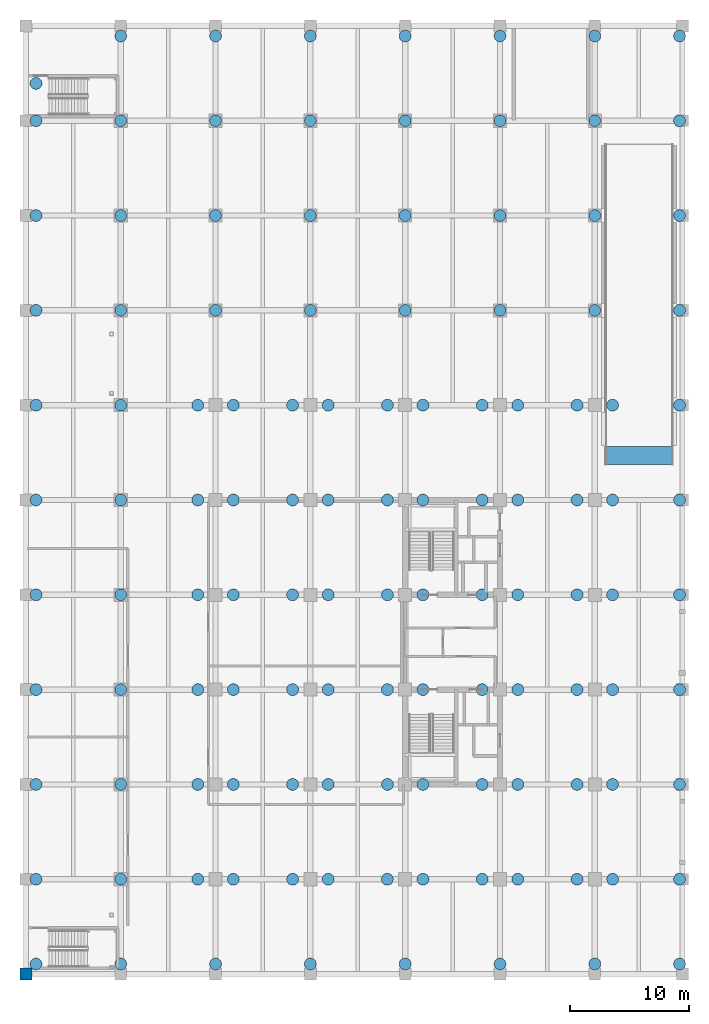
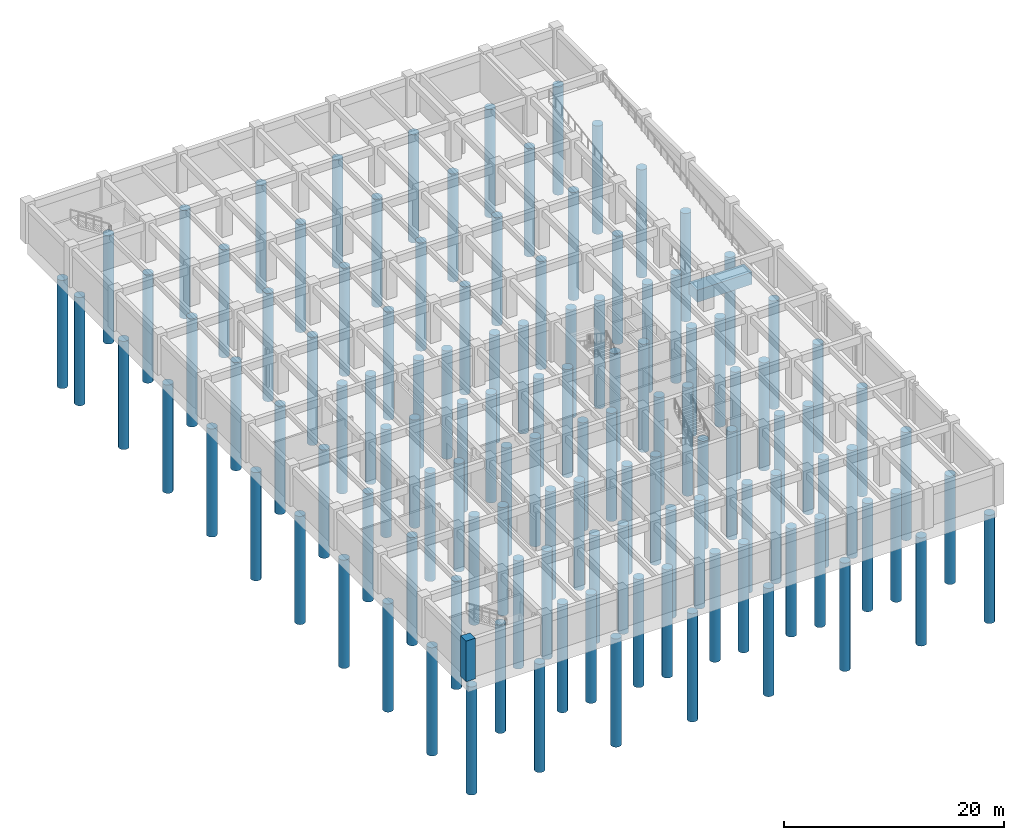
# One storey, part 1 of 15: 118 piles, 1 column, 1 footing.
"""IFC4 building model written with IfcOpenShell, lengths in metres."""

import ifcopenshell
import ifcopenshell.guid

model = None  # the IFC model being written
_history = None  # IfcOwnerHistory: only IFC2X3 demands one
_inside = {}  # id of a spatial element -> (the spatial element, [elements in it])
_under = {}  # id of a project, library or spatial element -> (it, [spatial elements below it])
_declared = {}  # id of a project -> (the project, [libraries it declares])
_typed = {}  # id of a type object -> (the type object, [elements of that type])
_made_of = {}  # id of a material, layer set ... -> (it, [elements and type objects made of it])


def new_model(schema):
    """Start an empty IFC model of exactly this schema.

    Asked for "IFC4X3", IfcOpenShell would pick the latest addendum, in which some entities
    have other attributes; the version numbers below select the first issue.
    IFC2X3 requires an IfcOwnerHistory on every rooted entity: one is made here for all.
    """
    global model, _history
    if schema == "IFC4X3":
        model = ifcopenshell.file(schema_version=(4, 3, 0, 0))
    else:
        model = ifcopenshell.file(schema=schema)
    _inside.clear()
    _under.clear()
    _declared.clear()
    _typed.clear()
    _made_of.clear()
    _history = None
    if model.schema == "IFC2X3":
        org = make("IfcOrganization", Name="unknown")
        user = make(
            "IfcPersonAndOrganization",
            ThePerson=make("IfcPerson", FamilyName="unknown"),
            TheOrganization=org,
        )
        app = make(
            "IfcApplication",
            ApplicationDeveloper=org,
            Version="unknown",
            ApplicationFullName="unknown",
            ApplicationIdentifier="unknown",
        )
        _history = make(
            "IfcOwnerHistory",
            OwningUser=user,
            OwningApplication=app,
            ChangeAction="ADDED",
            CreationDate=0,
        )
    return model


def make(cls, **values):
    """One entity of the class cls with the attributes given. An attribute that is None is left unset."""
    return model.create_entity(
        cls, **{name: value for name, value in values.items() if value is not None}
    )


def rooted(cls, **values):
    """An entity with a GlobalId (a new one), such as an element, a storey or a relation."""
    return make(cls, GlobalId=ifcopenshell.guid.new(), OwnerHistory=_history, **values)


def si_unit(unit_type, name, prefix=None):
    """IfcSIUnit, for example si_unit("LENGTHUNIT", "METRE", prefix="MILLI")."""
    return make("IfcSIUnit", UnitType=unit_type, Prefix=prefix, Name=name)


def assignment(units):
    """IfcUnitAssignment: the units of a project."""
    return None if units is None else make("IfcUnitAssignment", Units=units)


def point(xyz):
    """IfcCartesianPoint."""
    return None if xyz is None else make("IfcCartesianPoint", Coordinates=xyz)


def direction(xyz):
    """IfcDirection."""
    return None if xyz is None else make("IfcDirection", DirectionRatios=xyz)


def frame(location, z_axis=None, x_axis=None):
    """IfcAxis2Placement3D, a coordinate frame: its origin and axes. An axis left out is left unset."""
    return make(
        "IfcAxis2Placement3D",
        Location=point(location),
        Axis=direction(z_axis),
        RefDirection=direction(x_axis),
    )


def frame_2d(location, x_axis=None):
    """IfcAxis2Placement2D, a coordinate frame in the plane: its origin and x axis."""
    return make(
        "IfcAxis2Placement2D", Location=point(location), RefDirection=direction(x_axis)
    )


def origin():
    """The frame at (0, 0, 0) with its axes left unset."""
    return frame((0.0, 0.0, 0.0))


def origin_2d():
    """The frame at (0, 0) in the plane with its x axis left unset."""
    return frame_2d((0.0, 0.0))


def place(relative_to, where):
    """IfcLocalPlacement: puts the frame where relative to a parent placement (None: the world)."""
    return make(
        "IfcLocalPlacement", PlacementRelTo=relative_to, RelativePlacement=where
    )


def context(
    kind, dimensions, precision=None, world=None, true_north=None, identifier=None
):
    """IfcGeometricRepresentationContext, for example the 3D "Model" context."""
    return make(
        "IfcGeometricRepresentationContext",
        ContextIdentifier=identifier,
        ContextType=kind,
        CoordinateSpaceDimension=dimensions,
        Precision=precision,
        WorldCoordinateSystem=world,
        TrueNorth=true_north,
    )


def subcontext(parent, identifier, kind, view, scale=None):
    """IfcGeometricRepresentationSubContext, for example "Body" below "Model"."""
    return make(
        "IfcGeometricRepresentationSubContext",
        ContextIdentifier=identifier,
        ContextType=kind,
        ParentContext=parent,
        TargetScale=scale,
        TargetView=view,
    )


def project(units=None, contexts=None):
    """IfcProject with its units and contexts."""
    return rooted(
        "IfcProject",
        Name="project",
        RepresentationContexts=contexts,
        UnitsInContext=assignment(units),
    )


def spatial(cls, under=None, at=None, **own):
    """A site, building, storey or space (cls), placed at a placement, below another one or the project."""
    s = rooted(cls, ObjectPlacement=at, **own)
    if under is not None:
        _under.setdefault(under.id(), (under, []))[1].append(s)
    return s


def profile(cls, at=None, kind="AREA", **sizes):
    """A parametric profile (cls). Its sizes go by their IFC names, for example OverallWidth=200.0."""
    return make(cls, ProfileType=kind, Position=at, **sizes)


def rectangle(**sizes):
    """IfcRectangleProfileDef."""
    return profile("IfcRectangleProfileDef", **sizes)


def circle(**sizes):
    """IfcCircleProfileDef."""
    return profile("IfcCircleProfileDef", **sizes)


def extrude(swept, where, along, depth):
    """IfcExtrudedAreaSolid: the profile swept, set in the frame where, extruded along a direction by depth."""
    return make(
        "IfcExtrudedAreaSolid",
        SweptArea=swept,
        Position=where,
        ExtrudedDirection=direction(along),
        Depth=depth,
    )


def shape(context_of_items, identifier, shape_type, items):
    """IfcShapeRepresentation: the items that make up one representation, for example the "Body"."""
    return make(
        "IfcShapeRepresentation",
        ContextOfItems=context_of_items,
        RepresentationIdentifier=identifier,
        RepresentationType=shape_type,
        Items=items,
    )


def material(Name=None, Category=None):
    """IfcMaterial."""
    return make("IfcMaterial", Name=Name, Category=Category)


def material_profile(
    of_material, cross_section, Name=None, Category=None, Priority=None
):
    """IfcMaterialProfile: a cross section and its material."""
    return make(
        "IfcMaterialProfile",
        Name=Name,
        Material=of_material,
        Profile=cross_section,
        Priority=Priority,
        Category=Category,
    )


def profile_set(profiles, Name=None, composite=None):
    """IfcMaterialProfileSet."""
    return make(
        "IfcMaterialProfileSet",
        Name=Name,
        MaterialProfiles=profiles,
        CompositeProfile=composite,
    )


def made_of(thing, what):
    """Note that an element or type object is made of a material, layer set ...; save() writes the relation."""
    if what is not None:
        _made_of.setdefault(what.id(), (what, []))[1].append(thing)
    return thing


def type_object(cls, material=None, **own):
    """A type object (cls), such as IfcWallType, which elements share."""
    return made_of(rooted(cls, **own), material)


def element(
    cls,
    number,
    at=None,
    inside=None,
    cuts=None,
    type_object=None,
    material=None,
    context=None,
    identifier="Body",
    shape_type=None,
    held_by="IfcProductDefinitionShape",
    body=None,
    shapes=None,
    **own,
):
    """One element of the class cls, such as IfcWall. Its Tag is "e" and its number.

    at: its placement. inside: the storey or other place that contains it. cuts: it is an
    opening in that element (IfcRelVoidsElement). A single representation is given by context,
    identifier, shape_type and body (its items); several are given by shapes. held_by: the class
    of the entity that holds the representations. save() writes the other relations.
    """
    e = rooted(cls, Tag="e%d" % number, ObjectPlacement=at, **own)
    if body is not None:
        shapes = [shape(context, identifier, shape_type, body)]
    if shapes is not None:
        e.Representation = make(held_by, Representations=shapes)
    if inside is not None:
        _inside.setdefault(inside.id(), (inside, []))[1].append(e)
    if cuts is not None:
        rooted(
            "IfcRelVoidsElement", RelatingBuildingElement=cuts, RelatedOpeningElement=e
        )
    if type_object is not None:
        _typed.setdefault(type_object.id(), (type_object, []))[1].append(e)
    return made_of(e, material)


def aggregate(whole, parts):
    """IfcRelAggregates: a whole, such as a stair, and the parts it consists of."""
    return rooted("IfcRelAggregates", RelatingObject=whole, RelatedObjects=parts)


def save(model, path):
    """Write the relations noted so far, then the file.

    IfcRelAggregates (storeys below a building ...), IfcRelContainedInSpatialStructure (elements
    in a storey), IfcRelDefinesByType, IfcRelAssociatesMaterial and IfcRelDeclares: one each for
    every whole, place, type object, material and project.
    """
    for whole, parts in _under.values():
        aggregate(whole, parts)
    for where, things in _inside.values():
        rooted(
            "IfcRelContainedInSpatialStructure",
            RelatedElements=things,
            RelatingStructure=where,
        )
    for kind, things in _typed.values():
        rooted("IfcRelDefinesByType", RelatedObjects=things, RelatingType=kind)
    for what, things in _made_of.values():
        rooted("IfcRelAssociatesMaterial", RelatedObjects=things, RelatingMaterial=what)
    for by, libraries in _declared.values():
        rooted("IfcRelDeclares", RelatingContext=by, RelatedDefinitions=libraries)
    model.write(path)


model = new_model("IFC4")

# Units and contexts
model_context = context("Model", 3, precision=1e-05, world=origin(), true_north=direction((0.0, 1.0)))
body_context = subcontext(model_context, "Body", "Model", "MODEL_VIEW")
ifc_project = project(units=[si_unit("LENGTHUNIT", "METRE"), si_unit("AREAUNIT", "SQUARE_METRE"), si_unit("VOLUMEUNIT", "CUBIC_METRE"), si_unit("PLANEANGLEUNIT", "RADIAN"), si_unit("MASSUNIT", "GRAM", prefix="KILO")], contexts=[model_context])

# Site, building, storey
site_placement = place(None, origin())
site = spatial("IfcSite", under=ifc_project, at=site_placement, CompositionType="ELEMENT")
building_placement = place(site_placement, origin())
building = spatial("IfcBuilding", under=site, at=building_placement, Name="Canggui Botanical Conservatory", CompositionType="ELEMENT")
storey_placement = place(building_placement, frame((0.0, 0.0, -9.0)))
storey = spatial("IfcBuildingStorey", under=building, at=storey_placement, Name="B2", CompositionType="ELEMENT", Elevation=-9.0)

# Piles
ifc_material_1 = material(Name="Concrete C35", Category="concrete")
ifc_material_profile_1 = material_profile(ifc_material_1, circle(Radius=0.5, at=origin_2d()), Name="PILE D1000")
ifc_profile_set_1 = profile_set([ifc_material_profile_1], Name="Concrete C35")
pile_type = type_object("IfcPileType", Name="PILE-ZH1", PredefinedType="BORED", material=ifc_profile_set_1)
for number, where, z_axis, x_axis, name in (
    (1, (122.85009765625, 26.85009765625, -1.5), (0.0, 0.0, -1.0), (1.0, 0.0, 0.0), "Basement Raft Bored Pile ZH-001"),
    (2, (122.85009765625, 34.0, -1.5), (0.0, 0.0, -1.0), (1.0, 0.0, 0.0), "Basement Raft Bored Pile ZH-002"),
    (3, (122.85009765625, 42.0, -1.5), (0.0, 0.0, -1.0), (1.0, 0.0, 0.0), "Basement Raft Bored Pile ZH-003"),
    (4, (122.85009765625, 50.0, -1.5), (0.0, 0.0, -1.0), (1.0, 0.0, 0.0), "Basement Raft Bored Pile ZH-004"),
    (5, (122.85009765625, 58.0, -1.5), (0.0, 0.0, -1.0), (1.0, 0.0, 0.0), "Basement Raft Bored Pile ZH-005"),
    (6, (122.85009765625, 66.0, -1.5), (0.0, 0.0, -1.0), (1.0, 0.0, 0.0), "Basement Raft Bored Pile ZH-006"),
    (7, (122.85009765625, 74.0, -1.5), (0.0, 0.0, -1.0), (1.0, 0.0, 0.0), "Basement Raft Bored Pile ZH-007"),
    (8, (122.85009765625, 82.0, -1.5), (0.0, 0.0, -1.0), (1.0, 0.0, 0.0), "Basement Raft Bored Pile ZH-008"),
    (9, (122.85009765625, 90.0, -1.5), (0.0, 0.0, -1.0), (1.0, 0.0, 0.0), "Basement Raft Bored Pile ZH-009"),
    (10, (122.85009765625, 98.0, -1.5), (0.0, 0.0, -1.0), (1.0, 0.0, 0.0), "Basement Raft Bored Pile ZH-010"),
    (11, (122.85009765625, 101.14990234375, -1.5), (0.0, 0.0, -1.0), (1.0, 0.0, 0.0), "Basement Raft Bored Pile ZH-011"),
    (12, (130.0, 26.85009765625, -1.5), (0.0, 0.0, -1.0), (1.0, 0.0, 0.0), "Basement Raft Bored Pile ZH-012"),
    (13, (130.0, 34.0, -1.5), (0.0, 0.0, -1.0), (1.0, 0.0, 0.0), "Basement Raft Bored Pile ZH-013"),
    (14, (130.0, 42.0, -1.5), (0.0, 0.0, -1.0), (1.0, 0.0, 0.0), "Basement Raft Bored Pile ZH-014"),
    (15, (130.0, 50.0, -1.5), (0.0, 0.0, -1.0), (1.0, 0.0, 0.0), "Basement Raft Bored Pile ZH-015"),
    (16, (130.0, 58.0, -1.5), (0.0, 0.0, -1.0), (1.0, 0.0, 0.0), "Basement Raft Bored Pile ZH-016"),
    (17, (130.0, 66.0, -1.5), (0.0, 0.0, -1.0), (1.0, 0.0, 0.0), "Basement Raft Bored Pile ZH-017"),
    (18, (130.0, 74.0, -1.5), (0.0, 0.0, -1.0), (1.0, 0.0, 0.0), "Basement Raft Bored Pile ZH-018"),
    (19, (130.0, 82.0, -1.5), (0.0, 0.0, -1.0), (1.0, 0.0, 0.0), "Basement Raft Bored Pile ZH-019"),
    (20, (130.0, 90.0, -1.5), (0.0, 0.0, -1.0), (1.0, 0.0, 0.0), "Basement Raft Bored Pile ZH-020"),
    (21, (130.0, 98.0, -1.5), (0.0, 0.0, -1.0), (1.0, 0.0, 0.0), "Basement Raft Bored Pile ZH-021"),
    (22, (130.0, 105.14990234375, -1.5), (0.0, 0.0, -1.0), (1.0, 0.0, 0.0), "Basement Raft Bored Pile ZH-022"),
    (23, (138.0, 26.85009765625, -1.5), (0.0, 0.0, -1.0), (1.0, 0.0, 0.0), "Basement Raft Bored Pile ZH-023"),
    (24, (136.5, 34.0, -1.5), (0.0, 0.0, -1.0), (1.0, 0.0, 0.0), "Tower Raft Bored Pile ZH-024"),
    (25, (139.5, 34.0, -1.5), (0.0, 0.0, -1.0), (1.0, 0.0, 0.0), "Tower Raft Bored Pile ZH-025"),
    (26, (136.5, 42.0, -1.5), (0.0, 0.0, -1.0), (1.0, 0.0, 0.0), "Tower Raft Bored Pile ZH-026"),
    (27, (139.5, 42.0, -1.5), (0.0, 0.0, -1.0), (1.0, 0.0, 0.0), "Tower Raft Bored Pile ZH-027"),
    (28, (136.5, 50.0, -1.5), (0.0, 0.0, -1.0), (1.0, 0.0, 0.0), "Tower Raft Bored Pile ZH-028"),
    (29, (139.5, 50.0, -1.5), (0.0, 0.0, -1.0), (1.0, 0.0, 0.0), "Tower Raft Bored Pile ZH-029"),
    (30, (136.5, 58.0, -1.5), (0.0, 0.0, -1.0), (1.0, 0.0, 0.0), "Tower Raft Bored Pile ZH-030"),
    (31, (139.5, 58.0, -1.5), (0.0, 0.0, -1.0), (1.0, 0.0, 0.0), "Tower Raft Bored Pile ZH-031"),
    (32, (136.5, 66.0, -1.5), (0.0, 0.0, -1.0), (1.0, 0.0, 0.0), "Tower Raft Bored Pile ZH-032"),
    (33, (139.5, 66.0, -1.5), (0.0, 0.0, -1.0), (1.0, 0.0, 0.0), "Tower Raft Bored Pile ZH-033"),
    (34, (136.5, 74.0, -1.5), (0.0, 0.0, -1.0), (1.0, 0.0, 0.0), "Tower Raft Bored Pile ZH-034"),
    (35, (139.5, 74.0, -1.5), (0.0, 0.0, -1.0), (1.0, 0.0, 0.0), "Tower Raft Bored Pile ZH-035"),
    (36, (138.0, 82.0, -1.5), (0.0, 0.0, -1.0), (1.0, 0.0, 0.0), "Basement Raft Bored Pile ZH-036"),
    (37, (138.0, 90.0, -1.5), (0.0, 0.0, -1.0), (1.0, 0.0, 0.0), "Basement Raft Bored Pile ZH-037"),
    (38, (138.0, 98.0, -1.5), (0.0, 0.0, -1.0), (1.0, 0.0, 0.0), "Basement Raft Bored Pile ZH-038"),
    (39, (138.0, 105.14990234375, -1.5), (0.0, 0.0, -1.0), (1.0, 0.0, 0.0), "Basement Raft Bored Pile ZH-039"),
    (40, (146.0, 26.85009765625, -1.5), (0.0, 0.0, -1.0), (1.0, 0.0, 0.0), "Basement Raft Bored Pile ZH-040"),
    (41, (144.5, 34.0, -1.5), (0.0, 0.0, -1.0), (1.0, 0.0, 0.0), "Tower Raft Bored Pile ZH-041"),
    (42, (147.5, 34.0, -1.5), (0.0, 0.0, -1.0), (1.0, 0.0, 0.0), "Tower Raft Bored Pile ZH-042"),
    (43, (144.5, 42.0, -1.5), (0.0, 0.0, -1.0), (1.0, 0.0, 0.0), "Tower Raft Bored Pile ZH-043"),
    (44, (147.5, 42.0, -1.5), (0.0, 0.0, -1.0), (1.0, 0.0, 0.0), "Tower Raft Bored Pile ZH-044"),
    (45, (144.5, 50.0, -1.5), (0.0, 0.0, -1.0), (1.0, 0.0, 0.0), "Tower Raft Bored Pile ZH-045"),
    (46, (147.5, 50.0, -1.5), (0.0, 0.0, -1.0), (1.0, 0.0, 0.0), "Tower Raft Bored Pile ZH-046"),
    (47, (144.5, 58.0, -1.5), (0.0, 0.0, -1.0), (1.0, 0.0, 0.0), "Tower Raft Bored Pile ZH-047"),
    (48, (147.5, 58.0, -1.5), (0.0, 0.0, -1.0), (1.0, 0.0, 0.0), "Tower Raft Bored Pile ZH-048"),
    (49, (144.5, 66.0, -1.5), (0.0, 0.0, -1.0), (1.0, 0.0, 0.0), "Tower Raft Bored Pile ZH-049"),
    (50, (147.5, 66.0, -1.5), (0.0, 0.0, -1.0), (1.0, 0.0, 0.0), "Tower Raft Bored Pile ZH-050"),
    (51, (144.5, 74.0, -1.5), (0.0, 0.0, -1.0), (1.0, 0.0, 0.0), "Tower Raft Bored Pile ZH-051"),
    (52, (147.5, 74.0, -1.5), (0.0, 0.0, -1.0), (1.0, 0.0, 0.0), "Tower Raft Bored Pile ZH-052"),
    (53, (146.0, 82.0, -1.5), (0.0, 0.0, -1.0), (1.0, 0.0, 0.0), "Basement Raft Bored Pile ZH-053"),
    (54, (146.0, 90.0, -1.5), (0.0, 0.0, -1.0), (1.0, 0.0, 0.0), "Basement Raft Bored Pile ZH-054"),
    (55, (146.0, 98.0, -1.5), (0.0, 0.0, -1.0), (1.0, 0.0, 0.0), "Basement Raft Bored Pile ZH-055"),
    (56, (146.0, 105.14990234375, -1.5), (0.0, 0.0, -1.0), (1.0, 0.0, 0.0), "Basement Raft Bored Pile ZH-056"),
    (57, (154.0, 26.85009765625, -1.5), (0.0, 0.0, -1.0), (1.0, 0.0, 0.0), "Basement Raft Bored Pile ZH-057"),
    (58, (152.5, 34.0, -1.5), (0.0, 0.0, -1.0), (1.0, 0.0, 0.0), "Tower Raft Bored Pile ZH-058"),
    (59, (155.5, 34.0, -1.5), (0.0, 0.0, -1.0), (1.0, 0.0, 0.0), "Tower Raft Bored Pile ZH-059"),
    (60, (152.5, 42.0, -1.5), (0.0, 0.0, -1.0), (1.0, 0.0, 0.0), "Tower Raft Bored Pile ZH-060"),
    (61, (155.5, 42.0, -1.5), (0.0, 0.0, -1.0), (1.0, 0.0, 0.0), "Tower Raft Bored Pile ZH-061"),
    (62, (152.5, 50.0, -1.5), (0.0, 0.0, -1.0), (1.0, 0.0, 0.0), "Tower Raft Bored Pile ZH-062"),
    (63, (155.5, 50.0, -1.5), (0.0, 0.0, -1.0), (1.0, 0.0, 0.0), "Tower Raft Bored Pile ZH-063"),
    (64, (152.5, 58.0, -1.5), (0.0, 0.0, -1.0), (1.0, 0.0, 0.0), "Tower Raft Bored Pile ZH-064"),
    (65, (155.5, 58.0, -1.5), (0.0, 0.0, -1.0), (1.0, 0.0, 0.0), "Tower Raft Bored Pile ZH-065"),
    (66, (152.5, 66.0, -1.5), (0.0, 0.0, -1.0), (1.0, 0.0, 0.0), "Tower Raft Bored Pile ZH-066"),
    (67, (155.5, 66.0, -1.5), (0.0, 0.0, -1.0), (1.0, 0.0, 0.0), "Tower Raft Bored Pile ZH-067"),
    (68, (152.5, 74.0, -1.5), (0.0, 0.0, -1.0), (1.0, 0.0, 0.0), "Tower Raft Bored Pile ZH-068"),
    (69, (155.5, 74.0, -1.5), (0.0, 0.0, -1.0), (1.0, 0.0, 0.0), "Tower Raft Bored Pile ZH-069"),
    (70, (154.0, 82.0, -1.5), (0.0, 0.0, -1.0), (1.0, 0.0, 0.0), "Basement Raft Bored Pile ZH-070"),
    (71, (154.0, 90.0, -1.5), (0.0, 0.0, -1.0), (1.0, 0.0, 0.0), "Basement Raft Bored Pile ZH-071"),
    (72, (154.0, 98.0, -1.5), (0.0, 0.0, -1.0), (1.0, 0.0, 0.0), "Basement Raft Bored Pile ZH-072"),
    (73, (154.0, 105.14990234375, -1.5), (0.0, 0.0, -1.0), (1.0, 0.0, 0.0), "Basement Raft Bored Pile ZH-073"),
    (74, (162.0, 26.85009765625, -1.5), (0.0, 0.0, -1.0), (1.0, 0.0, 0.0), "Basement Raft Bored Pile ZH-074"),
    (75, (160.5, 34.0, -1.5), (0.0, 0.0, -1.0), (1.0, 0.0, 0.0), "Tower Raft Bored Pile ZH-075"),
    (76, (163.5, 34.0, -1.5), (0.0, 0.0, -1.0), (1.0, 0.0, 0.0), "Tower Raft Bored Pile ZH-076"),
    (77, (160.5, 42.0, -1.5), (0.0, 0.0, -1.0), (1.0, 0.0, 0.0), "Tower Raft Bored Pile ZH-077"),
    (78, (163.5, 42.0, -1.5), (0.0, 0.0, -1.0), (1.0, 0.0, 0.0), "Tower Raft Bored Pile ZH-078"),
    (79, (160.5, 50.0, -1.5), (0.0, 0.0, -1.0), (1.0, 0.0, 0.0), "Tower Raft Bored Pile ZH-079"),
    (80, (163.5, 50.0, -1.5), (0.0, 0.0, -1.0), (1.0, 0.0, 0.0), "Tower Raft Bored Pile ZH-080"),
    (81, (160.5, 58.0, -1.5), (0.0, 0.0, -1.0), (1.0, 0.0, 0.0), "Tower Raft Bored Pile ZH-081"),
    (82, (163.5, 58.0, -1.5), (0.0, 0.0, -1.0), (1.0, 0.0, 0.0), "Tower Raft Bored Pile ZH-082"),
    (83, (160.5, 66.0, -1.5), (0.0, 0.0, -1.0), (1.0, 0.0, 0.0), "Tower Raft Bored Pile ZH-083"),
    (84, (163.5, 66.0, -1.5), (0.0, 0.0, -1.0), (1.0, 0.0, 0.0), "Tower Raft Bored Pile ZH-084"),
    (85, (160.5, 74.0, -1.5), (0.0, 0.0, -1.0), (1.0, 0.0, 0.0), "Tower Raft Bored Pile ZH-085"),
    (86, (163.5, 74.0, -1.5), (0.0, 0.0, -1.0), (1.0, 0.0, 0.0), "Tower Raft Bored Pile ZH-086"),
    (87, (162.0, 82.0, -1.5), (0.0, 0.0, -1.0), (1.0, 0.0, 0.0), "Basement Raft Bored Pile ZH-087"),
    (88, (162.0, 90.0, -1.5), (0.0, 0.0, -1.0), (1.0, 0.0, 0.0), "Basement Raft Bored Pile ZH-088"),
    (89, (162.0, 98.0, -1.5), (0.0, 0.0, -1.0), (1.0, 0.0, 0.0), "Basement Raft Bored Pile ZH-089"),
    (90, (162.0, 105.14990234375, -1.5), (0.0, 0.0, -1.0), (1.0, 0.0, 0.0), "Basement Raft Bored Pile ZH-090"),
    (91, (170.0, 26.85009765625, -1.5), (0.0, 0.0, -1.0), (1.0, 0.0, 0.0), "Basement Raft Bored Pile ZH-091"),
    (92, (168.5, 34.0, -1.5), (0.0, 0.0, -1.0), (1.0, 0.0, 0.0), "Tower Raft Bored Pile ZH-092"),
    (93, (171.5, 34.0, -1.5), (0.0, 0.0, -1.0), (1.0, 0.0, 0.0), "Tower Raft Bored Pile ZH-093"),
    (94, (168.5, 42.0, -1.5), (0.0, 0.0, -1.0), (1.0, 0.0, 0.0), "Tower Raft Bored Pile ZH-094"),
    (95, (171.5, 42.0, -1.5), (0.0, 0.0, -1.0), (1.0, 0.0, 0.0), "Tower Raft Bored Pile ZH-095"),
    (96, (168.5, 50.0, -1.5), (0.0, 0.0, -1.0), (1.0, 0.0, 0.0), "Tower Raft Bored Pile ZH-096"),
    (97, (171.5, 50.0, -1.5), (0.0, 0.0, -1.0), (1.0, 0.0, 0.0), "Tower Raft Bored Pile ZH-097"),
    (98, (168.5, 58.0, -1.5), (0.0, 0.0, -1.0), (1.0, 0.0, 0.0), "Tower Raft Bored Pile ZH-098"),
    (99, (171.5, 58.0, -1.5), (0.0, 0.0, -1.0), (1.0, 0.0, 0.0), "Tower Raft Bored Pile ZH-099"),
    (100, (168.5, 66.0, -1.5), (0.0, 0.0, -1.0), (1.0, 0.0, 0.0), "Tower Raft Bored Pile ZH-100"),
    (101, (171.5, 66.0, -1.5), (0.0, 0.0, -1.0), (1.0, 0.0, 0.0), "Tower Raft Bored Pile ZH-101"),
    (102, (168.5, 74.0, -1.5), (0.0, 0.0, -1.0), (1.0, 0.0, 0.0), "Tower Raft Bored Pile ZH-102"),
    (103, (171.5, 74.0, -1.5), (0.0, 0.0, -1.0), (1.0, 0.0, 0.0), "Tower Raft Bored Pile ZH-103"),
    (104, (170.0, 82.0, -1.5), (0.0, 0.0, -1.0), (1.0, 0.0, 0.0), "Basement Raft Bored Pile ZH-104"),
    (105, (170.0, 90.0, -1.5), (0.0, 0.0, -1.0), (1.0, 0.0, 0.0), "Basement Raft Bored Pile ZH-105"),
    (106, (170.0, 98.0, -1.5), (0.0, 0.0, -1.0), (1.0, 0.0, 0.0), "Basement Raft Bored Pile ZH-106"),
    (107, (170.0, 105.14990234375, -1.5), (0.0, 0.0, -1.0), (1.0, 0.0, 0.0), "Basement Raft Bored Pile ZH-107"),
    (108, (177.14990234375, 26.85009765625, -1.5), (0.0, 0.0, -1.0), (1.0, 0.0, 0.0), "Basement Raft Bored Pile ZH-108"),
    (109, (177.14990234375, 34.0, -1.5), (0.0, 0.0, -1.0), (1.0, 0.0, 0.0), "Basement Raft Bored Pile ZH-109"),
    (110, (177.14990234375, 42.0, -1.5), (0.0, 0.0, -1.0), (1.0, 0.0, 0.0), "Basement Raft Bored Pile ZH-110"),
    (111, (177.14990234375, 50.0, -1.5), (0.0, 0.0, -1.0), (1.0, 0.0, 0.0), "Basement Raft Bored Pile ZH-111"),
    (112, (177.14990234375, 58.0, -1.5), (0.0, 0.0, -1.0), (1.0, 0.0, 0.0), "Basement Raft Bored Pile ZH-112"),
    (113, (177.14990234375, 66.0, -1.5), (0.0, 0.0, -1.0), (1.0, 0.0, 0.0), "Basement Raft Bored Pile ZH-113"),
    (114, (177.14990234375, 74.0, -1.5), (0.0, 0.0, -1.0), (1.0, 0.0, 0.0), "Basement Raft Bored Pile ZH-114"),
    (115, (177.14990234375, 82.0, -1.5), (0.0, 0.0, -1.0), (1.0, 0.0, 0.0), "Basement Raft Bored Pile ZH-115"),
    (116, (177.14990234375, 90.0, -1.5), (0.0, 0.0, -1.0), (1.0, 0.0, 0.0), "Basement Raft Bored Pile ZH-116"),
    (117, (177.14990234375, 98.0, -1.5), (0.0, 0.0, -1.0), (1.0, 0.0, 0.0), "Basement Raft Bored Pile ZH-117"),
    (118, (177.14990234375, 105.14990234375, -1.5), (0.0, 0.0, -1.0), (1.0, 0.0, 0.0), "Basement Raft Bored Pile ZH-118"),
):
    element("IfcPile", number, at=place(storey_placement, frame(where, z_axis=z_axis, x_axis=x_axis)), inside=storey, type_object=pile_type, Name=name, PredefinedType="BORED", context=body_context, shape_type="SweptSolid", body=[
        extrude(circle(Radius=0.5, at=origin_2d()), origin(), (0.0, 0.0, 1.0), 12.0),
    ])

# Footing
footing_type = type_object("IfcFootingType", Name="SF-02", PredefinedType="STRIP_FOOTING", material=ifc_material_1)
footing_placement = place(storey_placement, frame((173.72998046875, 69.7548828125, -1.60009765625), z_axis=(0.0, 0.0, 1.0), x_axis=(1.0, 0.0, 0.0)))
element("IfcFooting", 119, at=footing_placement, inside=storey, type_object=footing_type, Name="Vehicle Ramp VR-02 Raft Toe Bearing Block", PredefinedType="STRIP_FOOTING", context=body_context, shape_type="SweptSolid", body=[
    extrude(rectangle(XDim=5.760009765625, YDim=1.510009765625, at=origin_2d()), origin(), (0.0, 0.0, 1.0), 1.35009765625),
])

# Column
ifc_material_2 = material(Name="Concrete C50", Category="concrete")
ifc_material_profile_2 = material_profile(ifc_material_2, rectangle(XDim=1.0, YDim=1.0, at=origin_2d()), Name="RC 1000x1000")
ifc_profile_set_2 = profile_set([ifc_material_profile_2], Name="Concrete C50")
column_type = type_object("IfcColumnType", Name="COL-KZ03", PredefinedType="COLUMN", material=ifc_profile_set_2)
column_placement = place(storey_placement, frame((122.0, 26.0, 0.0), z_axis=(0.0, 0.0, 1.0), x_axis=(1.0, 0.0, 0.0)))
element("IfcColumn", 120, at=column_placement, inside=storey, type_object=column_type, Name="Tower RC Column B2 (122,26)", PredefinedType="COLUMN", context=body_context, shape_type="SweptSolid", body=[
    extrude(rectangle(XDim=1.0, YDim=1.0, at=origin_2d()), origin(), (0.0, 0.0, 1.0), 4.5),
])

save(model, "model.ifc")
